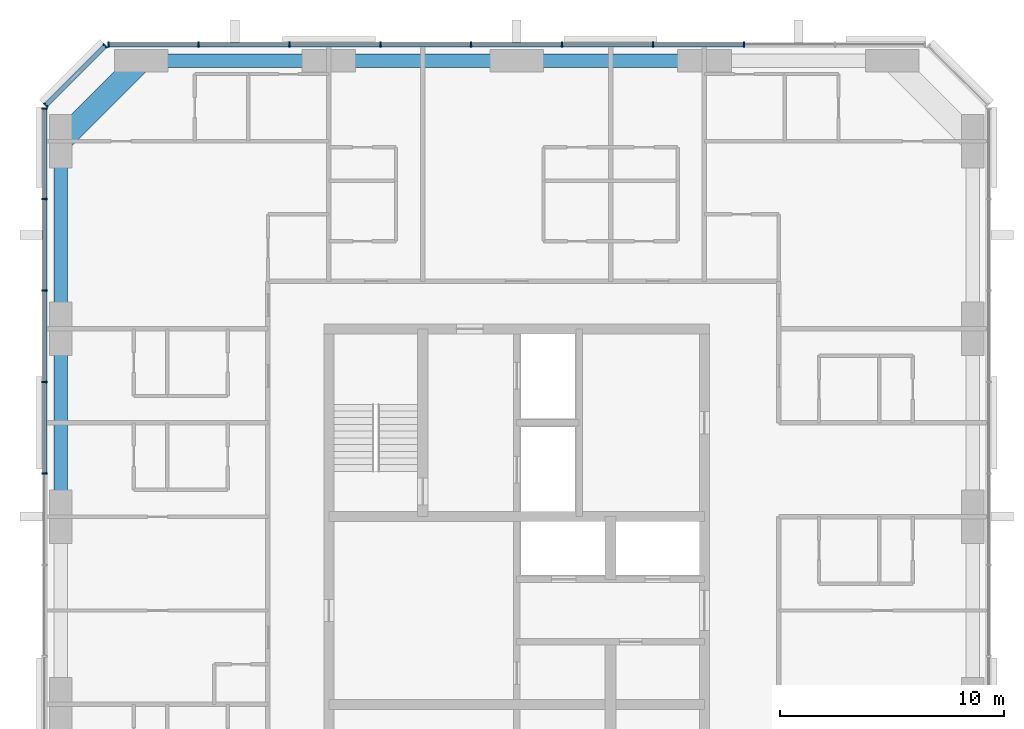
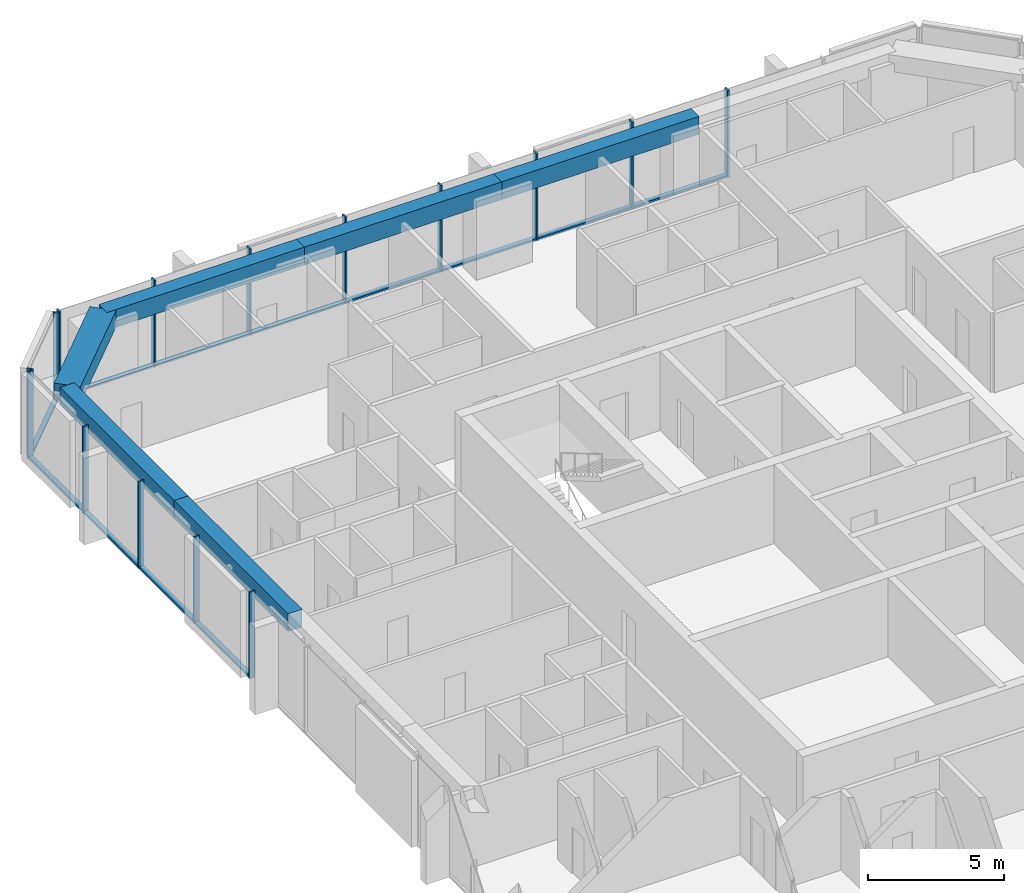
# One storey, part 4 of 12: 27 members, 6 beams, 3 elements without a shape of their own.
"""IFC4 building model written with IfcOpenShell, lengths in metres."""

import ifcopenshell
import ifcopenshell.guid

model = None  # the IFC model being written
_history = None  # IfcOwnerHistory: only IFC2X3 demands one
_inside = {}  # id of a spatial element -> (the spatial element, [elements in it])
_under = {}  # id of a project, library or spatial element -> (it, [spatial elements below it])
_declared = {}  # id of a project -> (the project, [libraries it declares])
_typed = {}  # id of a type object -> (the type object, [elements of that type])
_made_of = {}  # id of a material, layer set ... -> (it, [elements and type objects made of it])


def new_model(schema):
    """Start an empty IFC model of exactly this schema.

    Asked for "IFC4X3", IfcOpenShell would pick the latest addendum, in which some entities
    have other attributes; the version numbers below select the first issue.
    IFC2X3 requires an IfcOwnerHistory on every rooted entity: one is made here for all.
    """
    global model, _history
    if schema == "IFC4X3":
        model = ifcopenshell.file(schema_version=(4, 3, 0, 0))
    else:
        model = ifcopenshell.file(schema=schema)
    _inside.clear()
    _under.clear()
    _declared.clear()
    _typed.clear()
    _made_of.clear()
    _history = None
    if model.schema == "IFC2X3":
        org = make("IfcOrganization", Name="unknown")
        user = make(
            "IfcPersonAndOrganization",
            ThePerson=make("IfcPerson", FamilyName="unknown"),
            TheOrganization=org,
        )
        app = make(
            "IfcApplication",
            ApplicationDeveloper=org,
            Version="unknown",
            ApplicationFullName="unknown",
            ApplicationIdentifier="unknown",
        )
        _history = make(
            "IfcOwnerHistory",
            OwningUser=user,
            OwningApplication=app,
            ChangeAction="ADDED",
            CreationDate=0,
        )
    return model


def make(cls, **values):
    """One entity of the class cls with the attributes given. An attribute that is None is left unset."""
    return model.create_entity(
        cls, **{name: value for name, value in values.items() if value is not None}
    )


def rooted(cls, **values):
    """An entity with a GlobalId (a new one), such as an element, a storey or a relation."""
    return make(cls, GlobalId=ifcopenshell.guid.new(), OwnerHistory=_history, **values)


def si_unit(unit_type, name, prefix=None):
    """IfcSIUnit, for example si_unit("LENGTHUNIT", "METRE", prefix="MILLI")."""
    return make("IfcSIUnit", UnitType=unit_type, Prefix=prefix, Name=name)


def assignment(units):
    """IfcUnitAssignment: the units of a project."""
    return None if units is None else make("IfcUnitAssignment", Units=units)


def point(xyz):
    """IfcCartesianPoint."""
    return None if xyz is None else make("IfcCartesianPoint", Coordinates=xyz)


def direction(xyz):
    """IfcDirection."""
    return None if xyz is None else make("IfcDirection", DirectionRatios=xyz)


def frame(location, z_axis=None, x_axis=None):
    """IfcAxis2Placement3D, a coordinate frame: its origin and axes. An axis left out is left unset."""
    return make(
        "IfcAxis2Placement3D",
        Location=point(location),
        Axis=direction(z_axis),
        RefDirection=direction(x_axis),
    )


def frame_2d(location, x_axis=None):
    """IfcAxis2Placement2D, a coordinate frame in the plane: its origin and x axis."""
    return make(
        "IfcAxis2Placement2D", Location=point(location), RefDirection=direction(x_axis)
    )


def origin():
    """The frame at (0, 0, 0) with its axes left unset."""
    return frame((0.0, 0.0, 0.0))


def origin_2d():
    """The frame at (0, 0) in the plane with its x axis left unset."""
    return frame_2d((0.0, 0.0))


def place(relative_to, where):
    """IfcLocalPlacement: puts the frame where relative to a parent placement (None: the world)."""
    return make(
        "IfcLocalPlacement", PlacementRelTo=relative_to, RelativePlacement=where
    )


def context(
    kind, dimensions, precision=None, world=None, true_north=None, identifier=None
):
    """IfcGeometricRepresentationContext, for example the 3D "Model" context."""
    return make(
        "IfcGeometricRepresentationContext",
        ContextIdentifier=identifier,
        ContextType=kind,
        CoordinateSpaceDimension=dimensions,
        Precision=precision,
        WorldCoordinateSystem=world,
        TrueNorth=true_north,
    )


def subcontext(parent, identifier, kind, view, scale=None):
    """IfcGeometricRepresentationSubContext, for example "Body" below "Model"."""
    return make(
        "IfcGeometricRepresentationSubContext",
        ContextIdentifier=identifier,
        ContextType=kind,
        ParentContext=parent,
        TargetScale=scale,
        TargetView=view,
    )


def project(units=None, contexts=None):
    """IfcProject with its units and contexts."""
    return rooted(
        "IfcProject",
        Name="project",
        RepresentationContexts=contexts,
        UnitsInContext=assignment(units),
    )


def spatial(cls, under=None, at=None, **own):
    """A site, building, storey or space (cls), placed at a placement, below another one or the project."""
    s = rooted(cls, ObjectPlacement=at, **own)
    if under is not None:
        _under.setdefault(under.id(), (under, []))[1].append(s)
    return s


def profile(cls, at=None, kind="AREA", **sizes):
    """A parametric profile (cls). Its sizes go by their IFC names, for example OverallWidth=200.0."""
    return make(cls, ProfileType=kind, Position=at, **sizes)


def rectangle(**sizes):
    """IfcRectangleProfileDef."""
    return profile("IfcRectangleProfileDef", **sizes)


def extrude(swept, where, along, depth):
    """IfcExtrudedAreaSolid: the profile swept, set in the frame where, extruded along a direction by depth."""
    return make(
        "IfcExtrudedAreaSolid",
        SweptArea=swept,
        Position=where,
        ExtrudedDirection=direction(along),
        Depth=depth,
    )


def shape(context_of_items, identifier, shape_type, items):
    """IfcShapeRepresentation: the items that make up one representation, for example the "Body"."""
    return make(
        "IfcShapeRepresentation",
        ContextOfItems=context_of_items,
        RepresentationIdentifier=identifier,
        RepresentationType=shape_type,
        Items=items,
    )


def material(Name=None, Category=None):
    """IfcMaterial."""
    return make("IfcMaterial", Name=Name, Category=Category)


def material_profile(
    of_material, cross_section, Name=None, Category=None, Priority=None
):
    """IfcMaterialProfile: a cross section and its material."""
    return make(
        "IfcMaterialProfile",
        Name=Name,
        Material=of_material,
        Profile=cross_section,
        Priority=Priority,
        Category=Category,
    )


def profile_set(profiles, Name=None, composite=None):
    """IfcMaterialProfileSet."""
    return make(
        "IfcMaterialProfileSet",
        Name=Name,
        MaterialProfiles=profiles,
        CompositeProfile=composite,
    )


def made_of(thing, what):
    """Note that an element or type object is made of a material, layer set ...; save() writes the relation."""
    if what is not None:
        _made_of.setdefault(what.id(), (what, []))[1].append(thing)
    return thing


def type_object(cls, material=None, **own):
    """A type object (cls), such as IfcWallType, which elements share."""
    return made_of(rooted(cls, **own), material)


def element(
    cls,
    number,
    at=None,
    inside=None,
    cuts=None,
    type_object=None,
    material=None,
    context=None,
    identifier="Body",
    shape_type=None,
    held_by="IfcProductDefinitionShape",
    body=None,
    shapes=None,
    **own,
):
    """One element of the class cls, such as IfcWall. Its Tag is "e" and its number.

    at: its placement. inside: the storey or other place that contains it. cuts: it is an
    opening in that element (IfcRelVoidsElement). A single representation is given by context,
    identifier, shape_type and body (its items); several are given by shapes. held_by: the class
    of the entity that holds the representations. save() writes the other relations.
    """
    e = rooted(cls, Tag="e%d" % number, ObjectPlacement=at, **own)
    if body is not None:
        shapes = [shape(context, identifier, shape_type, body)]
    if shapes is not None:
        e.Representation = make(held_by, Representations=shapes)
    if inside is not None:
        _inside.setdefault(inside.id(), (inside, []))[1].append(e)
    if cuts is not None:
        rooted(
            "IfcRelVoidsElement", RelatingBuildingElement=cuts, RelatedOpeningElement=e
        )
    if type_object is not None:
        _typed.setdefault(type_object.id(), (type_object, []))[1].append(e)
    return made_of(e, material)


def aggregate(whole, parts):
    """IfcRelAggregates: a whole, such as a stair, and the parts it consists of."""
    return rooted("IfcRelAggregates", RelatingObject=whole, RelatedObjects=parts)


def save(model, path):
    """Write the relations noted so far, then the file.

    IfcRelAggregates (storeys below a building ...), IfcRelContainedInSpatialStructure (elements
    in a storey), IfcRelDefinesByType, IfcRelAssociatesMaterial and IfcRelDeclares: one each for
    every whole, place, type object, material and project.
    """
    for whole, parts in _under.values():
        aggregate(whole, parts)
    for where, things in _inside.values():
        rooted(
            "IfcRelContainedInSpatialStructure",
            RelatedElements=things,
            RelatingStructure=where,
        )
    for kind, things in _typed.values():
        rooted("IfcRelDefinesByType", RelatedObjects=things, RelatingType=kind)
    for what, things in _made_of.values():
        rooted("IfcRelAssociatesMaterial", RelatedObjects=things, RelatingMaterial=what)
    for by, libraries in _declared.values():
        rooted("IfcRelDeclares", RelatingContext=by, RelatedDefinitions=libraries)
    model.write(path)


model = new_model("IFC4")

# Units and contexts
model_context = context("Model", 3, precision=1e-05, world=origin(), true_north=direction((0.0, 1.0)))
body_context = subcontext(model_context, "Body", "Model", "MODEL_VIEW")
ifc_project = project(units=[si_unit("LENGTHUNIT", "METRE"), si_unit("AREAUNIT", "SQUARE_METRE"), si_unit("VOLUMEUNIT", "CUBIC_METRE"), si_unit("PLANEANGLEUNIT", "RADIAN"), si_unit("MASSUNIT", "GRAM", prefix="KILO")], contexts=[model_context])

# Site, building, storey
site_placement = place(None, origin())
site = spatial("IfcSite", under=ifc_project, at=site_placement, CompositionType="ELEMENT")
building_placement = place(site_placement, origin())
building = spatial("IfcBuilding", under=site, at=building_placement, Name="Dunama Terrace Hotel", CompositionType="ELEMENT")
storey_placement = place(building_placement, frame((0.0, 0.0, 268.5)))
storey = spatial("IfcBuildingStorey", under=building, at=storey_placement, Name="L69", CompositionType="ELEMENT", Elevation=268.5)

# Curtain wall, members
ifc_material_1 = material(Name="Aluminium curtain wall system", Category="aluminium")
curtain_wall_type = type_object("IfcCurtainWallType", Name="Unitised fritted glass wall CW-D", PredefinedType="NOTDEFINED", material=ifc_material_1)
curtain_wall_1_placement = place(storey_placement, origin())
curtain_wall_1 = element("IfcCurtainWall", 1, at=curtain_wall_1_placement, inside=storey, type_object=curtain_wall_type, Name="Unitised fritted glass wall CW-D L69", PredefinedType="NOTDEFINED")
ifc_material_2 = material(Name="Aluminium mullion", Category="aluminium")
ifc_material_profile_1 = material_profile(ifc_material_2, rectangle(XDim=0.070068359375, YDim=0.239990234375, at=origin_2d()), Name="CWD MULLION 70X240")
ifc_profile_set_1 = profile_set([ifc_material_profile_1], Name="Aluminium mullion")
member_type_1 = type_object("IfcMemberType", Name="CWD mullion 70x240", PredefinedType="MULLION", material=ifc_profile_set_1)
member_1_placement = place(storey_placement, frame((43.76708984375, 54.719970703125, 0.0), z_axis=(0.0, 0.0, 1.0), x_axis=(-1.0, 0.0, 0.0)))
member_1 = element("IfcMember", 2, at=member_1_placement, type_object=member_type_1, Name="CWD mullion", PredefinedType="MULLION", context=body_context, shape_type="SweptSolid", body=[
    extrude(rectangle(XDim=0.070068359375, YDim=0.239990234375, at=origin_2d()), origin(), (0.0, 0.0, 1.0), 3.89990234375),
])
member_2_placement = place(storey_placement, frame((39.699951171875, 54.719970703125, 0.0), z_axis=(0.0, 0.0, 1.0), x_axis=(-1.0, 0.0, 0.0)))
member_2 = element("IfcMember", 3, at=member_2_placement, type_object=member_type_1, Name="CWD mullion", PredefinedType="MULLION", context=body_context, shape_type="SweptSolid", body=[
    extrude(rectangle(XDim=0.070068359375, YDim=0.239990234375, at=origin_2d()), origin(), (0.0, 0.0, 1.0), 3.89990234375),
])
member_3_placement = place(storey_placement, frame((35.633056640625, 54.719970703125, 0.0), z_axis=(0.0, 0.0, 1.0), x_axis=(-1.0, 0.0, 0.0)))
member_3 = element("IfcMember", 4, at=member_3_placement, type_object=member_type_1, Name="CWD mullion", PredefinedType="MULLION", context=body_context, shape_type="SweptSolid", body=[
    extrude(rectangle(XDim=0.070068359375, YDim=0.239990234375, at=origin_2d()), origin(), (0.0, 0.0, 1.0), 3.89990234375),
])
member_4_placement = place(storey_placement, frame((31.56689453125, 54.719970703125, 0.0), z_axis=(0.0, 0.0, 1.0), x_axis=(-1.0, 0.0, 0.0)))
member_4 = element("IfcMember", 5, at=member_4_placement, type_object=member_type_1, Name="CWD mullion", PredefinedType="MULLION", context=body_context, shape_type="SweptSolid", body=[
    extrude(rectangle(XDim=0.070068359375, YDim=0.239990234375, at=origin_2d()), origin(), (0.0, 0.0, 1.0), 3.89990234375),
])
member_5_placement = place(storey_placement, frame((27.5, 54.719970703125, 0.0), z_axis=(0.0, 0.0, 1.0), x_axis=(-1.0, 0.0, 0.0)))
member_5 = element("IfcMember", 6, at=member_5_placement, type_object=member_type_1, Name="CWD mullion", PredefinedType="MULLION", context=body_context, shape_type="SweptSolid", body=[
    extrude(rectangle(XDim=0.070068359375, YDim=0.239990234375, at=origin_2d()), origin(), (0.0, 0.0, 1.0), 3.89990234375),
])
member_6_placement = place(storey_placement, frame((23.43310546875, 54.719970703125, 0.0), z_axis=(0.0, 0.0, 1.0), x_axis=(-1.0, 0.0, 0.0)))
member_6 = element("IfcMember", 7, at=member_6_placement, type_object=member_type_1, Name="CWD mullion", PredefinedType="MULLION", context=body_context, shape_type="SweptSolid", body=[
    extrude(rectangle(XDim=0.070068359375, YDim=0.239990234375, at=origin_2d()), origin(), (0.0, 0.0, 1.0), 3.89990234375),
])
member_7_placement = place(storey_placement, frame((19.366943359375, 54.719970703125, 0.0), z_axis=(0.0, 0.0, 1.0), x_axis=(-1.0, 0.0, 0.0)))
member_7 = element("IfcMember", 8, at=member_7_placement, type_object=member_type_1, Name="CWD mullion", PredefinedType="MULLION", context=body_context, shape_type="SweptSolid", body=[
    extrude(rectangle(XDim=0.070068359375, YDim=0.239990234375, at=origin_2d()), origin(), (0.0, 0.0, 1.0), 3.89990234375),
])
member_8_placement = place(storey_placement, frame((15.3349609375, 54.719970703125, 0.0), z_axis=(0.0, 0.0, 1.0), x_axis=(-1.0, 0.0, 0.0)))
member_8 = element("IfcMember", 9, at=member_8_placement, type_object=member_type_1, Name="CWD mullion", PredefinedType="MULLION", context=body_context, shape_type="SweptSolid", body=[
    extrude(rectangle(XDim=0.070068359375, YDim=0.239990234375, at=origin_2d()), origin(), (0.0, 0.0, 1.0), 3.89990234375),
])

curtain_wall_2_placement = place(storey_placement, origin())
curtain_wall_2 = element("IfcCurtainWall", 10, at=curtain_wall_2_placement, inside=storey, type_object=curtain_wall_type, Name="Unitised fritted glass wall CW-D L69", PredefinedType="NOTDEFINED")
member_9_placement = place(storey_placement, frame((15.18994140625, 54.659912109375, 0.0), z_axis=(0.0, 0.0, 1.0), x_axis=(-0.707106781187, -0.707106781187, 0.0)))
member_9 = element("IfcMember", 11, at=member_9_placement, type_object=member_type_1, Name="CWD mullion", PredefinedType="MULLION", context=body_context, shape_type="SweptSolid", body=[
    extrude(rectangle(XDim=0.070068359375, YDim=0.239990234375, at=origin_2d()), origin(), (0.0, 0.0, 1.0), 3.89990234375),
])
member_10_placement = place(storey_placement, frame((12.5400390625, 52.010009765625, 0.0), z_axis=(0.0, 0.0, 1.0), x_axis=(-0.707106781187, -0.707106781187, 0.0)))
member_10 = element("IfcMember", 12, at=member_10_placement, type_object=member_type_1, Name="CWD mullion", PredefinedType="MULLION", context=body_context, shape_type="SweptSolid", body=[
    extrude(rectangle(XDim=0.070068359375, YDim=0.239990234375, at=origin_2d()), origin(), (0.0, 0.0, 1.0), 3.89990234375),
])

curtain_wall_3_placement = place(storey_placement, origin())
curtain_wall_3 = element("IfcCurtainWall", 13, at=curtain_wall_3_placement, inside=storey, type_object=curtain_wall_type, Name="Unitised fritted glass wall CW-D L69", PredefinedType="NOTDEFINED")
member_11_placement = place(storey_placement, frame((12.47998046875, 51.864990234375, 0.0), z_axis=(0.0, 0.0, 1.0), x_axis=(0.0, -1.0, 0.0)))
member_11 = element("IfcMember", 14, at=member_11_placement, type_object=member_type_1, Name="CWD mullion", PredefinedType="MULLION", context=body_context, shape_type="SweptSolid", body=[
    extrude(rectangle(XDim=0.070068359375, YDim=0.239990234375, at=origin_2d()), origin(), (0.0, 0.0, 1.0), 3.89990234375),
])
member_12_placement = place(storey_placement, frame((12.47998046875, 47.80908203125, 0.0), z_axis=(0.0, 0.0, 1.0), x_axis=(0.0, -1.0, 0.0)))
member_12 = element("IfcMember", 15, at=member_12_placement, type_object=member_type_1, Name="CWD mullion", PredefinedType="MULLION", context=body_context, shape_type="SweptSolid", body=[
    extrude(rectangle(XDim=0.070068359375, YDim=0.239990234375, at=origin_2d()), origin(), (0.0, 0.0, 1.0), 3.89990234375),
])
member_13_placement = place(storey_placement, frame((12.47998046875, 43.718017578125, 0.0), z_axis=(0.0, 0.0, 1.0), x_axis=(0.0, -1.0, 0.0)))
member_13 = element("IfcMember", 16, at=member_13_placement, type_object=member_type_1, Name="CWD mullion", PredefinedType="MULLION", context=body_context, shape_type="SweptSolid", body=[
    extrude(rectangle(XDim=0.070068359375, YDim=0.239990234375, at=origin_2d()), origin(), (0.0, 0.0, 1.0), 3.89990234375),
])
member_14_placement = place(storey_placement, frame((12.47998046875, 39.626953125, 0.0), z_axis=(0.0, 0.0, 1.0), x_axis=(0.0, -1.0, 0.0)))
member_14 = element("IfcMember", 17, at=member_14_placement, type_object=member_type_1, Name="CWD mullion", PredefinedType="MULLION", context=body_context, shape_type="SweptSolid", body=[
    extrude(rectangle(XDim=0.070068359375, YDim=0.239990234375, at=origin_2d()), origin(), (0.0, 0.0, 1.0), 3.89990234375),
])
member_15_placement = place(storey_placement, frame((12.47998046875, 35.535888671875, 0.0), z_axis=(0.0, 0.0, 1.0), x_axis=(0.0, -1.0, 0.0)))
member_15 = element("IfcMember", 18, at=member_15_placement, type_object=member_type_1, Name="CWD mullion", PredefinedType="MULLION", context=body_context, shape_type="SweptSolid", body=[
    extrude(rectangle(XDim=0.070068359375, YDim=0.239990234375, at=origin_2d()), origin(), (0.0, 0.0, 1.0), 3.89990234375),
])

# Member
ifc_material_3 = material(Name="Aluminium transom", Category="aluminium")
ifc_material_profile_2 = material_profile(ifc_material_3, rectangle(XDim=0.199951171875, YDim=0.0849609375, at=origin_2d()), Name="CWD TRANSOM 200X85")
ifc_profile_set_2 = profile_set([ifc_material_profile_2], Name="Aluminium transom")
member_type_2 = type_object("IfcMemberType", Name="CWD transom 200x85", PredefinedType="USERDEFINED", material=ifc_profile_set_2)
member_16_placement = place(storey_placement, frame((43.73193359375, 54.719970703125, 0.04248046875), z_axis=(-1.0, 0.0, 0.0), x_axis=(0.0, -1.0, 0.0)))
member_16 = element("IfcMember", 19, at=member_16_placement, type_object=member_type_2, Name="CWD transom", ObjectType="TRANSOM", PredefinedType="USERDEFINED", context=body_context, shape_type="SweptSolid", body=[
    extrude(rectangle(XDim=0.199951171875, YDim=0.0849609375, at=origin_2d()), origin(), (0.0, 0.0, 1.0), 3.996826171875),
])

member_17_placement = place(storey_placement, frame((39.6650390625, 54.719970703125, 0.04248046875), z_axis=(-1.0, 0.0, 0.0), x_axis=(0.0, -1.0, 0.0)))
member_17 = element("IfcMember", 20, at=member_17_placement, type_object=member_type_2, Name="CWD transom", ObjectType="TRANSOM", PredefinedType="USERDEFINED", context=body_context, shape_type="SweptSolid", body=[
    extrude(rectangle(XDim=0.199951171875, YDim=0.0849609375, at=origin_2d()), origin(), (0.0, 0.0, 1.0), 3.9970703125),
])

member_18_placement = place(storey_placement, frame((35.597900390625, 54.719970703125, 0.04248046875), z_axis=(-1.0, 0.0, 0.0), x_axis=(0.0, -1.0, 0.0)))
member_18 = element("IfcMember", 21, at=member_18_placement, type_object=member_type_2, Name="CWD transom", ObjectType="TRANSOM", PredefinedType="USERDEFINED", context=body_context, shape_type="SweptSolid", body=[
    extrude(rectangle(XDim=0.199951171875, YDim=0.0849609375, at=origin_2d()), origin(), (0.0, 0.0, 1.0), 3.995849609375),
])

member_19_placement = place(storey_placement, frame((31.531982421875, 54.719970703125, 0.04248046875), z_axis=(-1.0, 0.0, 0.0), x_axis=(0.0, -1.0, 0.0)))
member_19 = element("IfcMember", 22, at=member_19_placement, type_object=member_type_2, Name="CWD transom", ObjectType="TRANSOM", PredefinedType="USERDEFINED", context=body_context, shape_type="SweptSolid", body=[
    extrude(rectangle(XDim=0.199951171875, YDim=0.0849609375, at=origin_2d()), origin(), (0.0, 0.0, 1.0), 3.9970703125),
])

member_20_placement = place(storey_placement, frame((27.465087890625, 54.719970703125, 0.04248046875), z_axis=(-1.0, 0.0, 0.0), x_axis=(0.0, -1.0, 0.0)))
member_20 = element("IfcMember", 23, at=member_20_placement, type_object=member_type_2, Name="CWD transom", ObjectType="TRANSOM", PredefinedType="USERDEFINED", context=body_context, shape_type="SweptSolid", body=[
    extrude(rectangle(XDim=0.199951171875, YDim=0.0849609375, at=origin_2d()), origin(), (0.0, 0.0, 1.0), 3.9970703125),
])

member_21_placement = place(storey_placement, frame((23.39794921875, 54.719970703125, 0.04248046875), z_axis=(-1.0, 0.0, 0.0), x_axis=(0.0, -1.0, 0.0)))
member_21 = element("IfcMember", 24, at=member_21_placement, type_object=member_type_2, Name="CWD transom", ObjectType="TRANSOM", PredefinedType="USERDEFINED", context=body_context, shape_type="SweptSolid", body=[
    extrude(rectangle(XDim=0.199951171875, YDim=0.0849609375, at=origin_2d()), origin(), (0.0, 0.0, 1.0), 3.995849609375),
])

member_22_placement = place(storey_placement, frame((19.33203125, 54.719970703125, 0.04248046875), z_axis=(-1.0, 0.0, 0.0), x_axis=(0.0, -1.0, 0.0)))
member_22 = element("IfcMember", 25, at=member_22_placement, type_object=member_type_2, Name="CWD transom", ObjectType="TRANSOM", PredefinedType="USERDEFINED", context=body_context, shape_type="SweptSolid", body=[
    extrude(rectangle(XDim=0.199951171875, YDim=0.0849609375, at=origin_2d()), origin(), (0.0, 0.0, 1.0), 3.9619140625),
])

aggregate(curtain_wall_1, [member_1, member_2, member_3, member_4, member_5, member_6, member_7, member_8, member_16, member_17, member_18, member_19, member_20, member_21, member_22])

member_23_placement = place(storey_placement, frame((15.166015625, 54.635009765625, 0.04248046875), z_axis=(-0.707106781187, -0.707106781187, 0.0), x_axis=(0.707106781187, -0.707106781187, 0.0)))
member_23 = element("IfcMember", 26, at=member_23_placement, type_object=member_type_2, Name="CWD transom", ObjectType="TRANSOM", PredefinedType="USERDEFINED", context=body_context, shape_type="SweptSolid", body=[
    extrude(rectangle(XDim=0.199951171875, YDim=0.0849609375, at=origin_2d()), origin(), (0.0, 0.0, 1.0), 3.678466796875),
])

aggregate(curtain_wall_2, [member_9, member_10, member_23])

member_24_placement = place(storey_placement, frame((12.47998046875, 51.830078125, 0.04248046875), z_axis=(0.0, -1.0, 0.0), x_axis=(1.0, 0.0, 0.0)))
member_24 = element("IfcMember", 27, at=member_24_placement, type_object=member_type_2, Name="CWD transom", ObjectType="TRANSOM", PredefinedType="USERDEFINED", context=body_context, shape_type="SweptSolid", body=[
    extrude(rectangle(XDim=0.199951171875, YDim=0.0849609375, at=origin_2d()), origin(), (0.0, 0.0, 1.0), 3.986083984375),
])

member_25_placement = place(storey_placement, frame((12.47998046875, 47.77392578125, 0.04248046875), z_axis=(0.0, -1.0, 0.0), x_axis=(1.0, 0.0, 0.0)))
member_25 = element("IfcMember", 28, at=member_25_placement, type_object=member_type_2, Name="CWD transom", ObjectType="TRANSOM", PredefinedType="USERDEFINED", context=body_context, shape_type="SweptSolid", body=[
    extrude(rectangle(XDim=0.199951171875, YDim=0.0849609375, at=origin_2d()), origin(), (0.0, 0.0, 1.0), 4.02099609375),
])

member_26_placement = place(storey_placement, frame((12.47998046875, 43.68310546875, 0.04248046875), z_axis=(0.0, -1.0, 0.0), x_axis=(1.0, 0.0, 0.0)))
member_26 = element("IfcMember", 29, at=member_26_placement, type_object=member_type_2, Name="CWD transom", ObjectType="TRANSOM", PredefinedType="USERDEFINED", context=body_context, shape_type="SweptSolid", body=[
    extrude(rectangle(XDim=0.199951171875, YDim=0.0849609375, at=origin_2d()), origin(), (0.0, 0.0, 1.0), 4.02099609375),
])

member_27_placement = place(storey_placement, frame((12.47998046875, 39.592041015625, 0.04248046875), z_axis=(0.0, -1.0, 0.0), x_axis=(1.0, 0.0, 0.0)))
member_27 = element("IfcMember", 30, at=member_27_placement, type_object=member_type_2, Name="CWD transom", ObjectType="TRANSOM", PredefinedType="USERDEFINED", context=body_context, shape_type="SweptSolid", body=[
    extrude(rectangle(XDim=0.199951171875, YDim=0.0849609375, at=origin_2d()), origin(), (0.0, 0.0, 1.0), 4.02099609375),
])

aggregate(curtain_wall_3, [member_11, member_12, member_13, member_14, member_15, member_24, member_25, member_26, member_27])

# Beams
ifc_material_4 = material(Name="Concrete C50/60", Category="concrete")
ifc_material_profile_3 = material_profile(ifc_material_4, rectangle(XDim=1.0, YDim=0.75, at=origin_2d()), Name="RC 1000x750")
ifc_profile_set_3 = profile_set([ifc_material_profile_3], Name="Concrete C50/60")
beam_type_1 = type_object("IfcBeamType", Name="Edge beam RC 1000x750", PredefinedType="SPANDREL", material=ifc_profile_set_3)
beam_1_placement = place(storey_placement, frame((16.800048828125, 54.0, 3.52490234375), z_axis=(-0.707106781187, -0.707106781187, 0.0), x_axis=(0.707106781187, -0.707106781187, 0.0)))
element("IfcBeam", 31, at=beam_1_placement, inside=storey, type_object=beam_type_1, Name="Corner edge beam under L70", PredefinedType="SPANDREL", context=body_context, shape_type="SweptSolid", body=[
    extrude(rectangle(XDim=1.0, YDim=0.75, at=origin_2d()), origin(), (0.0, 0.0, 1.0), 5.09130859375),
])
ifc_material_5 = material(Name="Concrete C40/50", Category="concrete")
ifc_material_profile_4 = material_profile(ifc_material_5, rectangle(XDim=0.60009765625, YDim=0.800048828125, at=origin_2d()), Name="RC 600x800")
ifc_profile_set_4 = profile_set([ifc_material_profile_4], Name="Concrete C40/50")
beam_type_2 = type_object("IfcBeamType", Name="Edge beam RC 600x800", PredefinedType="SPANDREL", material=ifc_profile_set_4)
for number, where, z_axis, x_axis, name in (
    (32, (13.199951171875, 33.60009765625, 3.5), (0.0, 1.0, 0.0), (-1.0, 0.0, 0.0), "Edge beam under L70"),
    (33, (13.199951171875, 42.0, 3.5), (0.0, 1.0, 0.0), (-1.0, 0.0, 0.0), "Edge beam under L70"),
    (34, (16.800048828125, 54.0, 3.5), (1.0, 0.0, 0.0), (0.0, 1.0, 0.0), "Edge beam under L70"),
):
    element("IfcBeam", number, at=place(storey_placement, frame(where, z_axis=z_axis, x_axis=x_axis)), inside=storey, type_object=beam_type_2, Name=name, PredefinedType="SPANDREL", context=body_context, shape_type="SweptSolid", body=[
        extrude(rectangle(XDim=0.60009765625, YDim=0.800048828125, at=origin_2d()), origin(), (0.0, 0.0, 1.0), 8.39990234375),
    ])
beam_2_placement = place(storey_placement, frame((25.199951171875, 54.0, 3.5), z_axis=(1.0, 0.0, 0.0), x_axis=(0.0, 1.0, 0.0)))
element("IfcBeam", 35, at=beam_2_placement, inside=storey, type_object=beam_type_2, Name="Edge beam under L70", PredefinedType="SPANDREL", context=body_context, shape_type="SweptSolid", body=[
    extrude(rectangle(XDim=0.60009765625, YDim=0.800048828125, at=origin_2d()), origin(), (0.0, 0.0, 1.0), 8.400146484375),
])
beam_3_placement = place(storey_placement, frame((33.60009765625, 54.0, 3.5), z_axis=(1.0, 0.0, 0.0), x_axis=(0.0, 1.0, 0.0)))
element("IfcBeam", 36, at=beam_3_placement, inside=storey, type_object=beam_type_2, Name="Edge beam under L70", PredefinedType="SPANDREL", context=body_context, shape_type="SweptSolid", body=[
    extrude(rectangle(XDim=0.60009765625, YDim=0.800048828125, at=origin_2d()), origin(), (0.0, 0.0, 1.0), 8.39990234375),
])

save(model, "model.ifc")
